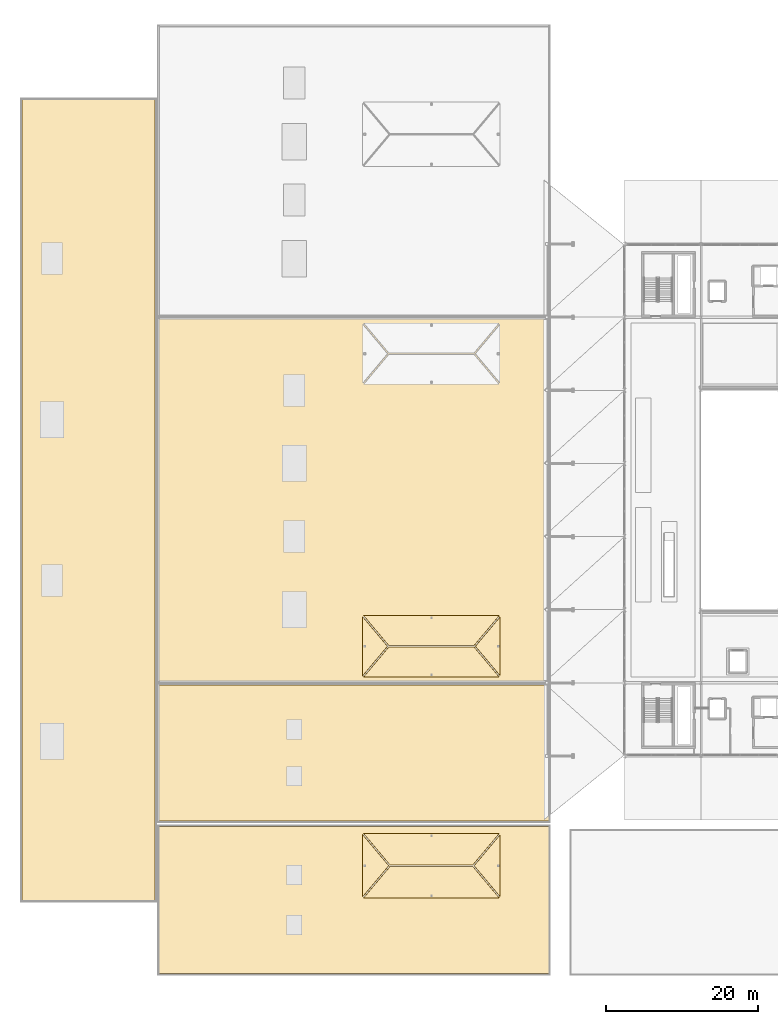
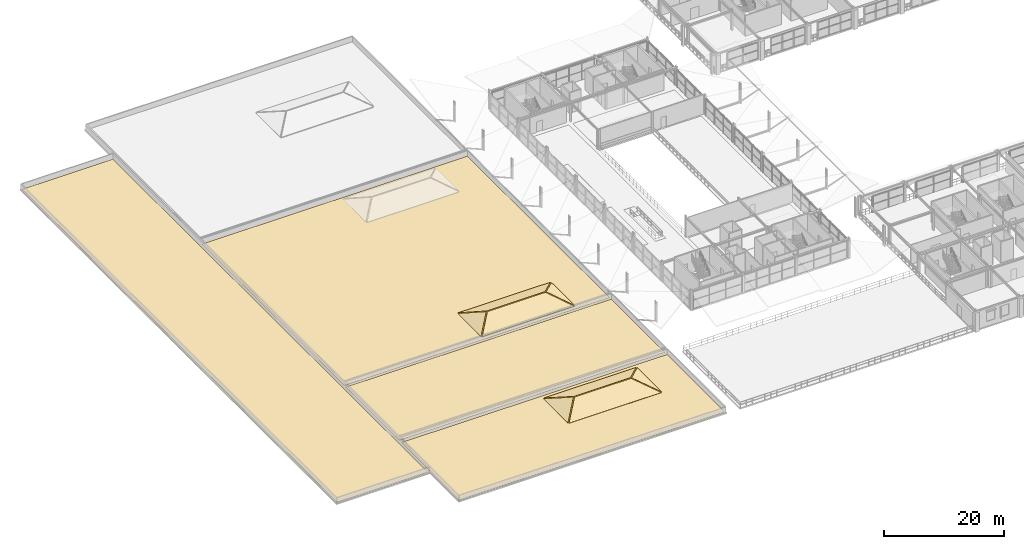
# One storey, part 62 of 81: 12 coverings.
"""IFC4 building model written with IfcOpenShell, lengths in metres."""

import ifcopenshell
import ifcopenshell.guid

model = None  # the IFC model being written
_history = None  # IfcOwnerHistory: only IFC2X3 demands one
_inside = {}  # id of a spatial element -> (the spatial element, [elements in it])
_under = {}  # id of a project, library or spatial element -> (it, [spatial elements below it])
_declared = {}  # id of a project -> (the project, [libraries it declares])
_typed = {}  # id of a type object -> (the type object, [elements of that type])
_made_of = {}  # id of a material, layer set ... -> (it, [elements and type objects made of it])


def new_model(schema):
    """Start an empty IFC model of exactly this schema.

    Asked for "IFC4X3", IfcOpenShell would pick the latest addendum, in which some entities
    have other attributes; the version numbers below select the first issue.
    IFC2X3 requires an IfcOwnerHistory on every rooted entity: one is made here for all.
    """
    global model, _history
    if schema == "IFC4X3":
        model = ifcopenshell.file(schema_version=(4, 3, 0, 0))
    else:
        model = ifcopenshell.file(schema=schema)
    _inside.clear()
    _under.clear()
    _declared.clear()
    _typed.clear()
    _made_of.clear()
    _history = None
    if model.schema == "IFC2X3":
        org = make("IfcOrganization", Name="unknown")
        user = make(
            "IfcPersonAndOrganization",
            ThePerson=make("IfcPerson", FamilyName="unknown"),
            TheOrganization=org,
        )
        app = make(
            "IfcApplication",
            ApplicationDeveloper=org,
            Version="unknown",
            ApplicationFullName="unknown",
            ApplicationIdentifier="unknown",
        )
        _history = make(
            "IfcOwnerHistory",
            OwningUser=user,
            OwningApplication=app,
            ChangeAction="ADDED",
            CreationDate=0,
        )
    return model


def make(cls, **values):
    """One entity of the class cls with the attributes given. An attribute that is None is left unset."""
    return model.create_entity(
        cls, **{name: value for name, value in values.items() if value is not None}
    )


def rooted(cls, **values):
    """An entity with a GlobalId (a new one), such as an element, a storey or a relation."""
    return make(cls, GlobalId=ifcopenshell.guid.new(), OwnerHistory=_history, **values)


def si_unit(unit_type, name, prefix=None):
    """IfcSIUnit, for example si_unit("LENGTHUNIT", "METRE", prefix="MILLI")."""
    return make("IfcSIUnit", UnitType=unit_type, Prefix=prefix, Name=name)


def assignment(units):
    """IfcUnitAssignment: the units of a project."""
    return None if units is None else make("IfcUnitAssignment", Units=units)


def point(xyz):
    """IfcCartesianPoint."""
    return None if xyz is None else make("IfcCartesianPoint", Coordinates=xyz)


def direction(xyz):
    """IfcDirection."""
    return None if xyz is None else make("IfcDirection", DirectionRatios=xyz)


def frame(location, z_axis=None, x_axis=None):
    """IfcAxis2Placement3D, a coordinate frame: its origin and axes. An axis left out is left unset."""
    return make(
        "IfcAxis2Placement3D",
        Location=point(location),
        Axis=direction(z_axis),
        RefDirection=direction(x_axis),
    )


def origin():
    """The frame at (0, 0, 0) with its axes left unset."""
    return frame((0.0, 0.0, 0.0))


def place(relative_to, where):
    """IfcLocalPlacement: puts the frame where relative to a parent placement (None: the world)."""
    return make(
        "IfcLocalPlacement", PlacementRelTo=relative_to, RelativePlacement=where
    )


def context(
    kind, dimensions, precision=None, world=None, true_north=None, identifier=None
):
    """IfcGeometricRepresentationContext, for example the 3D "Model" context."""
    return make(
        "IfcGeometricRepresentationContext",
        ContextIdentifier=identifier,
        ContextType=kind,
        CoordinateSpaceDimension=dimensions,
        Precision=precision,
        WorldCoordinateSystem=world,
        TrueNorth=true_north,
    )


def subcontext(parent, identifier, kind, view, scale=None):
    """IfcGeometricRepresentationSubContext, for example "Body" below "Model"."""
    return make(
        "IfcGeometricRepresentationSubContext",
        ContextIdentifier=identifier,
        ContextType=kind,
        ParentContext=parent,
        TargetScale=scale,
        TargetView=view,
    )


def project(units=None, contexts=None):
    """IfcProject with its units and contexts."""
    return rooted(
        "IfcProject",
        Name="project",
        RepresentationContexts=contexts,
        UnitsInContext=assignment(units),
    )


def spatial(cls, under=None, at=None, **own):
    """A site, building, storey or space (cls), placed at a placement, below another one or the project."""
    s = rooted(cls, ObjectPlacement=at, **own)
    if under is not None:
        _under.setdefault(under.id(), (under, []))[1].append(s)
    return s


def polyline(points):
    """IfcPolyline through the points."""
    return make("IfcPolyline", Points=[point(p) for p in points])


def outline(outer, holes=None, kind="AREA"):
    """IfcArbitraryClosedProfileDef: a profile drawn as a closed curve; with holes, ...WithVoids."""
    if holes is None:
        return make("IfcArbitraryClosedProfileDef", ProfileType=kind, OuterCurve=outer)
    return make(
        "IfcArbitraryProfileDefWithVoids",
        ProfileType=kind,
        OuterCurve=outer,
        InnerCurves=holes,
    )


def extrude(swept, where, along, depth):
    """IfcExtrudedAreaSolid: the profile swept, set in the frame where, extruded along a direction by depth."""
    return make(
        "IfcExtrudedAreaSolid",
        SweptArea=swept,
        Position=where,
        ExtrudedDirection=direction(along),
        Depth=depth,
    )


def shape(context_of_items, identifier, shape_type, items):
    """IfcShapeRepresentation: the items that make up one representation, for example the "Body"."""
    return make(
        "IfcShapeRepresentation",
        ContextOfItems=context_of_items,
        RepresentationIdentifier=identifier,
        RepresentationType=shape_type,
        Items=items,
    )


def material(Name=None, Category=None):
    """IfcMaterial."""
    return make("IfcMaterial", Name=Name, Category=Category)


def layer(
    of_material, thickness, ventilated=None, Name=None, Category=None, Priority=None
):
    """IfcMaterialLayer: one layer of a wall or slab, of a material (None: an air gap)."""
    return make(
        "IfcMaterialLayer",
        Material=of_material,
        LayerThickness=thickness,
        IsVentilated=ventilated,
        Name=Name,
        Category=Category,
        Priority=Priority,
    )


def layer_set(layers, Name=None):
    """IfcMaterialLayerSet."""
    return make("IfcMaterialLayerSet", MaterialLayers=layers, LayerSetName=Name)


def made_of(thing, what):
    """Note that an element or type object is made of a material, layer set ...; save() writes the relation."""
    if what is not None:
        _made_of.setdefault(what.id(), (what, []))[1].append(thing)
    return thing


def type_object(cls, material=None, **own):
    """A type object (cls), such as IfcWallType, which elements share."""
    return made_of(rooted(cls, **own), material)


def element(
    cls,
    number,
    at=None,
    inside=None,
    cuts=None,
    type_object=None,
    material=None,
    context=None,
    identifier="Body",
    shape_type=None,
    held_by="IfcProductDefinitionShape",
    body=None,
    shapes=None,
    **own,
):
    """One element of the class cls, such as IfcWall. Its Tag is "e" and its number.

    at: its placement. inside: the storey or other place that contains it. cuts: it is an
    opening in that element (IfcRelVoidsElement). A single representation is given by context,
    identifier, shape_type and body (its items); several are given by shapes. held_by: the class
    of the entity that holds the representations. save() writes the other relations.
    """
    e = rooted(cls, Tag="e%d" % number, ObjectPlacement=at, **own)
    if body is not None:
        shapes = [shape(context, identifier, shape_type, body)]
    if shapes is not None:
        e.Representation = make(held_by, Representations=shapes)
    if inside is not None:
        _inside.setdefault(inside.id(), (inside, []))[1].append(e)
    if cuts is not None:
        rooted(
            "IfcRelVoidsElement", RelatingBuildingElement=cuts, RelatedOpeningElement=e
        )
    if type_object is not None:
        _typed.setdefault(type_object.id(), (type_object, []))[1].append(e)
    return made_of(e, material)


def aggregate(whole, parts):
    """IfcRelAggregates: a whole, such as a stair, and the parts it consists of."""
    return rooted("IfcRelAggregates", RelatingObject=whole, RelatedObjects=parts)


def save(model, path):
    """Write the relations noted so far, then the file.

    IfcRelAggregates (storeys below a building ...), IfcRelContainedInSpatialStructure (elements
    in a storey), IfcRelDefinesByType, IfcRelAssociatesMaterial and IfcRelDeclares: one each for
    every whole, place, type object, material and project.
    """
    for whole, parts in _under.values():
        aggregate(whole, parts)
    for where, things in _inside.values():
        rooted(
            "IfcRelContainedInSpatialStructure",
            RelatedElements=things,
            RelatingStructure=where,
        )
    for kind, things in _typed.values():
        rooted("IfcRelDefinesByType", RelatedObjects=things, RelatingType=kind)
    for what, things in _made_of.values():
        rooted("IfcRelAssociatesMaterial", RelatedObjects=things, RelatingMaterial=what)
    for by, libraries in _declared.values():
        rooted("IfcRelDeclares", RelatingContext=by, RelatedDefinitions=libraries)
    model.write(path)


model = new_model("IFC4")

# Units and contexts
model_context = context("Model", 3, precision=1e-05, world=origin(), true_north=direction((0.0, 1.0)))
body_context = subcontext(model_context, "Body", "Model", "MODEL_VIEW")
ifc_project = project(units=[si_unit("LENGTHUNIT", "METRE"), si_unit("AREAUNIT", "SQUARE_METRE"), si_unit("VOLUMEUNIT", "CUBIC_METRE"), si_unit("PLANEANGLEUNIT", "RADIAN"), si_unit("MASSUNIT", "GRAM", prefix="KILO")], contexts=[model_context])

# Site, building, storey
site_placement = place(None, origin())
site = spatial("IfcSite", under=ifc_project, at=site_placement, CompositionType="ELEMENT")
building_placement = place(site_placement, origin())
building = spatial("IfcBuilding", under=site, at=building_placement, Name="Myrtia Square Station", CompositionType="ELEMENT")
storey_placement = place(building_placement, frame((0.0, 0.0, 10.800048828125)))
storey = spatial("IfcBuildingStorey", under=building, at=storey_placement, Name="L02", CompositionType="ELEMENT", Elevation=10.800048828125)

# Coverings
ifc_material_1 = material(Name="Waterproof elastomeric membrane")
ifc_layer_1 = layer(ifc_material_1, 0.044921875, Name="Waterproof elastomeric membrane")
ifc_layer_set_1 = layer_set([ifc_layer_1], Name="Waterproof elastomeric membrane")
covering_type_1 = type_object("IfcCoveringType", Name="COV-MEMB-FLAT", PredefinedType="ROOFING", material=ifc_layer_set_1)
covering_1_placement = place(storey_placement, origin())
element("IfcCovering", 1, at=covering_1_placement, inside=storey, type_object=covering_type_1, Name="Flat roof waterproof membrane ROOF-L02-V1W", PredefinedType="ROOFING", context=body_context, shape_type="SweptSolid", body=[
    extrude(outline(polyline([(0.25, 9.85009765625), (17.75, 9.85009765625), (17.75, 114.949951171875), (0.25, 114.949951171875), (0.25, 9.85009765625)])), origin(), (0.0, 0.0, 1.0), 0.044921875),
])
covering_2_placement = place(storey_placement, origin())
element("IfcCovering", 2, at=covering_2_placement, inside=storey, type_object=covering_type_1, Name="Flat roof waterproof membrane ROOF-L02-V1S", PredefinedType="ROOFING", context=body_context, shape_type="SweptSolid", body=[
    extrude(outline(polyline([(18.25, 20.25), (69.39990234375, 20.25), (69.39990234375, 38.14990234375), (18.25, 38.14990234375), (18.25, 20.25)])), origin(), (0.0, 0.0, 1.0), 0.044921875),
])
covering_3_placement = place(storey_placement, origin())
element("IfcCovering", 3, at=covering_3_placement, inside=storey, type_object=covering_type_1, Name="Flat roof waterproof membrane ROOF-L02-V1S0", PredefinedType="ROOFING", context=body_context, shape_type="SweptSolid", body=[
    extrude(outline(polyline([(18.25, 0.25), (69.39990234375, 0.25), (69.39990234375, 19.550048828125), (18.25, 19.550048828125), (18.25, 0.25)])), origin(), (0.0, 0.0, 1.0), 0.044921875),
])
covering_4_placement = place(storey_placement, origin())
element("IfcCovering", 4, at=covering_4_placement, inside=storey, type_object=covering_type_1, Name="Flat roof waterproof membrane ROOF-L02-V1M", PredefinedType="ROOFING", context=body_context, shape_type="SweptSolid", body=[
    extrude(outline(polyline([(18.25, 38.64990234375), (69.39990234375, 38.64990234375), (69.39990234375, 86.14990234375), (18.25, 86.14990234375), (18.25, 38.64990234375)])), origin(), (0.0, 0.0, 1.0), 0.044921875),
])
ifc_material_2 = material(Name="Terracotta clay barrel tiles", Category="masonry")
ifc_layer_2 = layer(ifc_material_2, 0.06494140625, Name="Terracotta clay barrel tiles")
ifc_layer_set_2 = layer_set([ifc_layer_2], Name="Terracotta clay barrel tiles")
covering_type_2 = type_object("IfcCoveringType", Name="COV-TILE-TERRACOTTA", PredefinedType="ROOFING", material=ifc_layer_set_2)
for number, where, z_axis, x_axis, name in (
    (5, (45.111083984375, 10.17626953125, 0.25244140625), (0.0, -0.365240517118, 0.930913188571), (1.0, 0.0, 0.0), "Terracotta clay barrel-tile roofing 119"),
    (6, (62.888916015625, 18.623779296875, 0.25244140625), (0.0, 0.365240517118, 0.930913188571), (-1.0, 0.0, 0.0), "Terracotta clay barrel-tile roofing 120"),
):
    element("IfcCovering", number, at=place(storey_placement, frame(where, z_axis=z_axis, x_axis=x_axis)), inside=storey, type_object=covering_type_2, Name=name, PredefinedType="ROOFING", context=body_context, shape_type="SweptSolid", body=[
        extrude(outline(polyline([(0.0, 0.0), (17.77783203125, 0.0), (14.3212890625, 4.420380208267843), (3.45654296875, 4.420380208267843), (0.0, 0.0)])), origin(), (0.0, 0.0, -1.0), 0.06494140625),
    ])
covering_5_placement = place(storey_placement, frame((44.972412109375, 18.4677734375, 0.250732421875), z_axis=(-0.423232731331, 0.0, 0.906021001484), x_axis=(0.0, -1.0, 0.0)))
element("IfcCovering", 7, at=covering_5_placement, inside=storey, type_object=covering_type_2, Name="Terracotta clay barrel-tile roofing 121", PredefinedType="ROOFING", context=body_context, shape_type="SweptSolid", body=[
    extrude(outline(polyline([(0.0, 0.0), (8.135498046875, 0.0), (4.06787109375, 3.7714271323760697), (0.0, 0.0)])), origin(), (0.0, 0.0, -1.0), 0.06494140625),
])
covering_6_placement = place(storey_placement, frame((63.027587890625, 10.332275390625, 0.250732421875), z_axis=(0.423232731331, 0.0, 0.906021001484), x_axis=(0.0, 1.0, 0.0)))
element("IfcCovering", 8, at=covering_6_placement, inside=storey, type_object=covering_type_2, Name="Terracotta clay barrel-tile roofing 122", PredefinedType="ROOFING", context=body_context, shape_type="SweptSolid", body=[
    extrude(outline(polyline([(0.0, 0.0), (8.135498046875, 0.0), (4.067626953125, 3.7714271323760697), (0.0, 0.0)])), origin(), (0.0, 0.0, -1.0), 0.06494140625),
])
covering_7_placement = place(storey_placement, frame((45.111083984375, 39.17529296875, 0.251953125), z_axis=(0.0, -0.380964402072, 0.924589705953), x_axis=(1.0, 0.0, 0.0)))
element("IfcCovering", 9, at=covering_7_placement, inside=storey, type_object=covering_type_2, Name="Terracotta clay barrel-tile roofing 123", PredefinedType="ROOFING", context=body_context, shape_type="SweptSolid", body=[
    extrude(outline(polyline([(0.0, 0.0), (17.77783203125, 0.0), (14.4892578125, 4.234088803574997), (3.28857421875, 4.234088803574997), (0.0, 0.0)])), origin(), (0.0, 0.0, -1.0), 0.06494140625),
])
covering_8_placement = place(storey_placement, frame((62.888916015625, 47.224853515625, 0.251953125), z_axis=(0.0, 0.380944092894, 0.924598073808), x_axis=(-1.0, 0.0, 0.0)))
element("IfcCovering", 10, at=covering_8_placement, inside=storey, type_object=covering_type_2, Name="Terracotta clay barrel-tile roofing 124", PredefinedType="ROOFING", context=body_context, shape_type="SweptSolid", body=[
    extrude(outline(polyline([(0.0, 0.0), (17.77783203125, 0.0), (14.4892578125, 4.23431453450517), (3.28857421875, 4.23431453450517), (0.0, 0.0)])), origin(), (0.0, 0.0, -1.0), 0.06494140625),
])
covering_9_placement = place(storey_placement, frame((44.971435546875, 47.06787109375, 0.250244140625), z_axis=(-0.440400369872, 0.0, 0.897801489315), x_axis=(0.0, -1.0, 0.0)))
element("IfcCovering", 11, at=covering_9_placement, inside=storey, type_object=covering_type_2, Name="Terracotta clay barrel-tile roofing 125", PredefinedType="ROOFING", context=body_context, shape_type="SweptSolid", body=[
    extrude(outline(polyline([(0.0, 0.0), (7.735595703125, 0.0), (3.867919921875, 3.6188661704910166), (0.0, 0.0)])), origin(), (0.0, 0.0, -1.0), 0.06494140625),
])
covering_10_placement = place(storey_placement, frame((63.028564453125, 39.332275390625, 0.250244140625), z_axis=(0.440400369872, 0.0, 0.897801489315), x_axis=(0.0, 1.0, 0.0)))
element("IfcCovering", 12, at=covering_10_placement, inside=storey, type_object=covering_type_2, Name="Terracotta clay barrel-tile roofing 126", PredefinedType="ROOFING", context=body_context, shape_type="SweptSolid", body=[
    extrude(outline(polyline([(0.0, 0.0), (7.735595703125, 0.0), (3.86767578125, 3.6188661704910166), (0.0, 0.0)])), origin(), (0.0, 0.0, -1.0), 0.06494140625),
])

save(model, "model.ifc")
